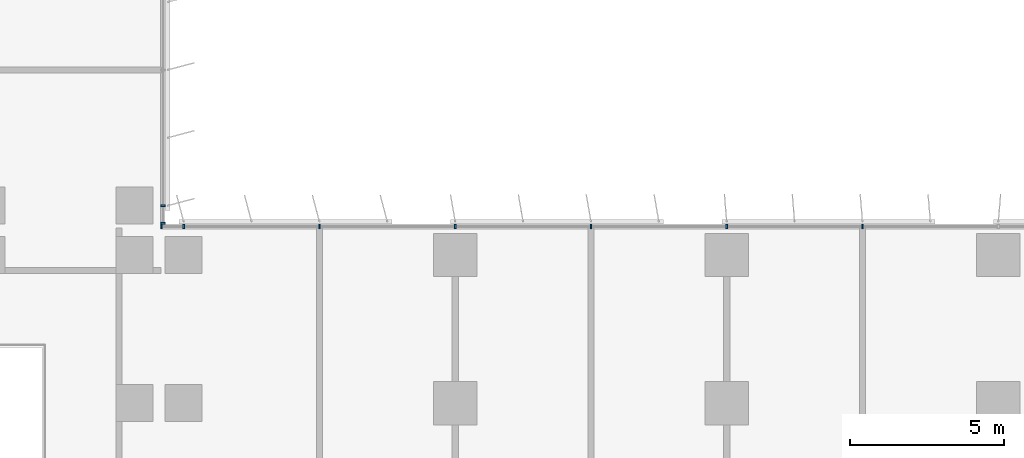
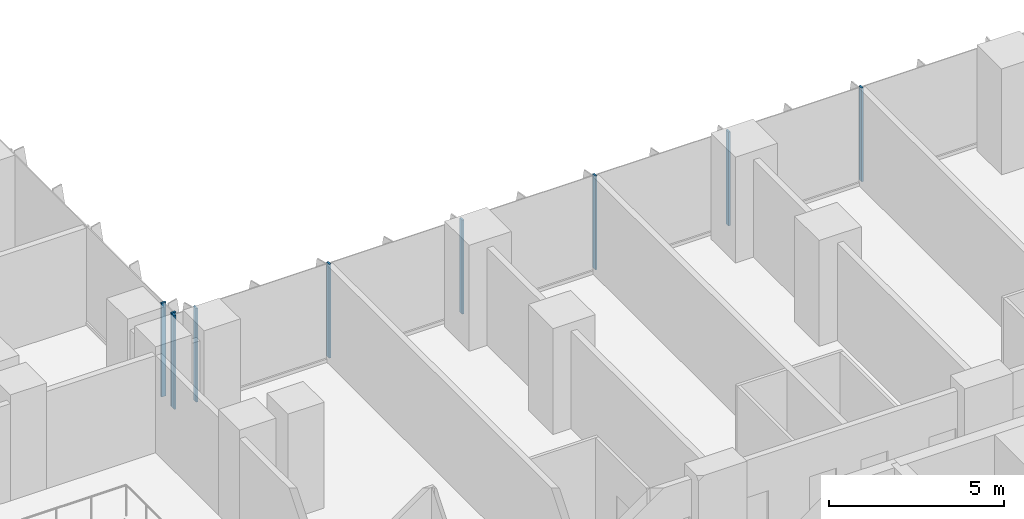
# One storey, part 2 of 24: 9 members, 2 elements without a shape of their own.
"""IFC4 building model written with IfcOpenShell, lengths in metres."""

import ifcopenshell
import ifcopenshell.guid

model = None  # the IFC model being written
_history = None  # IfcOwnerHistory: only IFC2X3 demands one
_inside = {}  # id of a spatial element -> (the spatial element, [elements in it])
_under = {}  # id of a project, library or spatial element -> (it, [spatial elements below it])
_declared = {}  # id of a project -> (the project, [libraries it declares])
_typed = {}  # id of a type object -> (the type object, [elements of that type])
_made_of = {}  # id of a material, layer set ... -> (it, [elements and type objects made of it])


def new_model(schema):
    """Start an empty IFC model of exactly this schema.

    Asked for "IFC4X3", IfcOpenShell would pick the latest addendum, in which some entities
    have other attributes; the version numbers below select the first issue.
    IFC2X3 requires an IfcOwnerHistory on every rooted entity: one is made here for all.
    """
    global model, _history
    if schema == "IFC4X3":
        model = ifcopenshell.file(schema_version=(4, 3, 0, 0))
    else:
        model = ifcopenshell.file(schema=schema)
    _inside.clear()
    _under.clear()
    _declared.clear()
    _typed.clear()
    _made_of.clear()
    _history = None
    if model.schema == "IFC2X3":
        org = make("IfcOrganization", Name="unknown")
        user = make(
            "IfcPersonAndOrganization",
            ThePerson=make("IfcPerson", FamilyName="unknown"),
            TheOrganization=org,
        )
        app = make(
            "IfcApplication",
            ApplicationDeveloper=org,
            Version="unknown",
            ApplicationFullName="unknown",
            ApplicationIdentifier="unknown",
        )
        _history = make(
            "IfcOwnerHistory",
            OwningUser=user,
            OwningApplication=app,
            ChangeAction="ADDED",
            CreationDate=0,
        )
    return model


def make(cls, **values):
    """One entity of the class cls with the attributes given. An attribute that is None is left unset."""
    return model.create_entity(
        cls, **{name: value for name, value in values.items() if value is not None}
    )


def rooted(cls, **values):
    """An entity with a GlobalId (a new one), such as an element, a storey or a relation."""
    return make(cls, GlobalId=ifcopenshell.guid.new(), OwnerHistory=_history, **values)


def si_unit(unit_type, name, prefix=None):
    """IfcSIUnit, for example si_unit("LENGTHUNIT", "METRE", prefix="MILLI")."""
    return make("IfcSIUnit", UnitType=unit_type, Prefix=prefix, Name=name)


def assignment(units):
    """IfcUnitAssignment: the units of a project."""
    return None if units is None else make("IfcUnitAssignment", Units=units)


def point(xyz):
    """IfcCartesianPoint."""
    return None if xyz is None else make("IfcCartesianPoint", Coordinates=xyz)


def direction(xyz):
    """IfcDirection."""
    return None if xyz is None else make("IfcDirection", DirectionRatios=xyz)


def frame(location, z_axis=None, x_axis=None):
    """IfcAxis2Placement3D, a coordinate frame: its origin and axes. An axis left out is left unset."""
    return make(
        "IfcAxis2Placement3D",
        Location=point(location),
        Axis=direction(z_axis),
        RefDirection=direction(x_axis),
    )


def frame_2d(location, x_axis=None):
    """IfcAxis2Placement2D, a coordinate frame in the plane: its origin and x axis."""
    return make(
        "IfcAxis2Placement2D", Location=point(location), RefDirection=direction(x_axis)
    )


def origin():
    """The frame at (0, 0, 0) with its axes left unset."""
    return frame((0.0, 0.0, 0.0))


def origin_2d():
    """The frame at (0, 0) in the plane with its x axis left unset."""
    return frame_2d((0.0, 0.0))


def place(relative_to, where):
    """IfcLocalPlacement: puts the frame where relative to a parent placement (None: the world)."""
    return make(
        "IfcLocalPlacement", PlacementRelTo=relative_to, RelativePlacement=where
    )


def context(
    kind, dimensions, precision=None, world=None, true_north=None, identifier=None
):
    """IfcGeometricRepresentationContext, for example the 3D "Model" context."""
    return make(
        "IfcGeometricRepresentationContext",
        ContextIdentifier=identifier,
        ContextType=kind,
        CoordinateSpaceDimension=dimensions,
        Precision=precision,
        WorldCoordinateSystem=world,
        TrueNorth=true_north,
    )


def subcontext(parent, identifier, kind, view, scale=None):
    """IfcGeometricRepresentationSubContext, for example "Body" below "Model"."""
    return make(
        "IfcGeometricRepresentationSubContext",
        ContextIdentifier=identifier,
        ContextType=kind,
        ParentContext=parent,
        TargetScale=scale,
        TargetView=view,
    )


def project(units=None, contexts=None):
    """IfcProject with its units and contexts."""
    return rooted(
        "IfcProject",
        Name="project",
        RepresentationContexts=contexts,
        UnitsInContext=assignment(units),
    )


def spatial(cls, under=None, at=None, **own):
    """A site, building, storey or space (cls), placed at a placement, below another one or the project."""
    s = rooted(cls, ObjectPlacement=at, **own)
    if under is not None:
        _under.setdefault(under.id(), (under, []))[1].append(s)
    return s


def profile(cls, at=None, kind="AREA", **sizes):
    """A parametric profile (cls). Its sizes go by their IFC names, for example OverallWidth=200.0."""
    return make(cls, ProfileType=kind, Position=at, **sizes)


def rectangle(**sizes):
    """IfcRectangleProfileDef."""
    return profile("IfcRectangleProfileDef", **sizes)


def extrude(swept, where, along, depth):
    """IfcExtrudedAreaSolid: the profile swept, set in the frame where, extruded along a direction by depth."""
    return make(
        "IfcExtrudedAreaSolid",
        SweptArea=swept,
        Position=where,
        ExtrudedDirection=direction(along),
        Depth=depth,
    )


def shape(context_of_items, identifier, shape_type, items):
    """IfcShapeRepresentation: the items that make up one representation, for example the "Body"."""
    return make(
        "IfcShapeRepresentation",
        ContextOfItems=context_of_items,
        RepresentationIdentifier=identifier,
        RepresentationType=shape_type,
        Items=items,
    )


def source(mapping_origin, context_of_items, identifier, shape_type, items):
    """IfcRepresentationMap: a shape defined once, which mapped items show again and again."""
    return make(
        "IfcRepresentationMap",
        MappingOrigin=mapping_origin,
        MappedRepresentation=shape(context_of_items, identifier, shape_type, items),
    )


def transform(
    local_origin,
    x_axis=None,
    y_axis=None,
    z_axis=None,
    scale=None,
    scale2=None,
    scale3=None,
    uniform=True,
):
    """IfcCartesianTransformationOperator3D, or its non-uniform kind. x_axis, y_axis, z_axis: its Axis1, 2, 3."""
    if uniform:
        return make(
            "IfcCartesianTransformationOperator3D",
            Axis1=direction(x_axis),
            Axis2=direction(y_axis),
            LocalOrigin=point(local_origin),
            Scale=scale,
            Axis3=direction(z_axis),
        )
    return make(
        "IfcCartesianTransformationOperator3DnonUniform",
        Axis1=direction(x_axis),
        Axis2=direction(y_axis),
        LocalOrigin=point(local_origin),
        Scale=scale,
        Axis3=direction(z_axis),
        Scale2=scale2,
        Scale3=scale3,
    )


def mapped(mapping_source, mapping_target):
    """IfcMappedItem: shows the shape of a source again, moved by a transform."""
    return make(
        "IfcMappedItem", MappingSource=mapping_source, MappingTarget=mapping_target
    )


def material(Name=None, Category=None):
    """IfcMaterial."""
    return make("IfcMaterial", Name=Name, Category=Category)


def material_profile(
    of_material, cross_section, Name=None, Category=None, Priority=None
):
    """IfcMaterialProfile: a cross section and its material."""
    return make(
        "IfcMaterialProfile",
        Name=Name,
        Material=of_material,
        Profile=cross_section,
        Priority=Priority,
        Category=Category,
    )


def profile_set(profiles, Name=None, composite=None):
    """IfcMaterialProfileSet."""
    return make(
        "IfcMaterialProfileSet",
        Name=Name,
        MaterialProfiles=profiles,
        CompositeProfile=composite,
    )


def made_of(thing, what):
    """Note that an element or type object is made of a material, layer set ...; save() writes the relation."""
    if what is not None:
        _made_of.setdefault(what.id(), (what, []))[1].append(thing)
    return thing


def type_object(cls, material=None, **own):
    """A type object (cls), such as IfcWallType, which elements share."""
    return made_of(rooted(cls, **own), material)


def element(
    cls,
    number,
    at=None,
    inside=None,
    cuts=None,
    type_object=None,
    material=None,
    context=None,
    identifier="Body",
    shape_type=None,
    held_by="IfcProductDefinitionShape",
    body=None,
    shapes=None,
    **own,
):
    """One element of the class cls, such as IfcWall. Its Tag is "e" and its number.

    at: its placement. inside: the storey or other place that contains it. cuts: it is an
    opening in that element (IfcRelVoidsElement). A single representation is given by context,
    identifier, shape_type and body (its items); several are given by shapes. held_by: the class
    of the entity that holds the representations. save() writes the other relations.
    """
    e = rooted(cls, Tag="e%d" % number, ObjectPlacement=at, **own)
    if body is not None:
        shapes = [shape(context, identifier, shape_type, body)]
    if shapes is not None:
        e.Representation = make(held_by, Representations=shapes)
    if inside is not None:
        _inside.setdefault(inside.id(), (inside, []))[1].append(e)
    if cuts is not None:
        rooted(
            "IfcRelVoidsElement", RelatingBuildingElement=cuts, RelatedOpeningElement=e
        )
    if type_object is not None:
        _typed.setdefault(type_object.id(), (type_object, []))[1].append(e)
    return made_of(e, material)


def aggregate(whole, parts):
    """IfcRelAggregates: a whole, such as a stair, and the parts it consists of."""
    return rooted("IfcRelAggregates", RelatingObject=whole, RelatedObjects=parts)


def save(model, path):
    """Write the relations noted so far, then the file.

    IfcRelAggregates (storeys below a building ...), IfcRelContainedInSpatialStructure (elements
    in a storey), IfcRelDefinesByType, IfcRelAssociatesMaterial and IfcRelDeclares: one each for
    every whole, place, type object, material and project.
    """
    for whole, parts in _under.values():
        aggregate(whole, parts)
    for where, things in _inside.values():
        rooted(
            "IfcRelContainedInSpatialStructure",
            RelatedElements=things,
            RelatingStructure=where,
        )
    for kind, things in _typed.values():
        rooted("IfcRelDefinesByType", RelatedObjects=things, RelatingType=kind)
    for what, things in _made_of.values():
        rooted("IfcRelAssociatesMaterial", RelatedObjects=things, RelatingMaterial=what)
    for by, libraries in _declared.values():
        rooted("IfcRelDeclares", RelatingContext=by, RelatedDefinitions=libraries)
    model.write(path)


model = new_model("IFC4")

# Units and contexts
model_context = context("Model", 3, precision=1e-05, world=origin(), true_north=direction((0.0, 1.0)))
body_context = subcontext(model_context, "Body", "Model", "MODEL_VIEW")
ifc_project = project(units=[si_unit("LENGTHUNIT", "METRE"), si_unit("AREAUNIT", "SQUARE_METRE"), si_unit("VOLUMEUNIT", "CUBIC_METRE"), si_unit("PLANEANGLEUNIT", "RADIAN"), si_unit("MASSUNIT", "GRAM", prefix="KILO")], contexts=[model_context])

# Site, building, storey
site_placement = place(None, origin())
site = spatial("IfcSite", under=ifc_project, at=site_placement, CompositionType="ELEMENT")
building_placement = place(site_placement, origin())
building = spatial("IfcBuilding", under=site, at=building_placement, Name="Kemantara Hotel Tower", CompositionType="ELEMENT")
storey_placement = place(building_placement, frame((0.0, 0.0, 63.60009765625)))
storey = spatial("IfcBuildingStorey", under=building, at=storey_placement, Name="L14", CompositionType="ELEMENT", Elevation=63.60009765625)

# Curtain wall, members
ifc_material_1 = material(Name="Low-E tinted double insulated glass 36 mm", Category="glass")
curtain_wall_type = type_object("IfcCurtainWallType", Name="TOWER CURTAIN WALL, FRONT FACES", PredefinedType="USERDEFINED", material=ifc_material_1)
curtain_wall_1_placement = place(storey_placement, origin())
curtain_wall_1 = element("IfcCurtainWall", 1, at=curtain_wall_1_placement, inside=storey, type_object=curtain_wall_type, Name="CW4 L14 T1-R07-1", ObjectType="TOWER CURTAIN WALL, FRONT FACES", PredefinedType="USERDEFINED")
ifc_material_2 = material(Name="Aluminium 6063-T6 bronze anodised", Category="aluminium")
ifc_material_profile = material_profile(ifc_material_2, rectangle(XDim=0.14990234375, YDim=0.06005859375, at=origin_2d()), Name="TOWER CURTAIN WALL, FRONT FACES MULLION")
ifc_profile_set = profile_set([ifc_material_profile], Name="Aluminium 6063-T6 bronze anodised")
member_type = type_object("IfcMemberType", Name="TOWER CURTAIN WALL, FRONT FACES MULLION", PredefinedType="MULLION", material=ifc_profile_set)
shared_shape = source(origin(), body_context, "Body", "SweptSolid", [
    extrude(rectangle(XDim=0.14990234375, YDim=0.06005859375, at=origin_2d()), origin(), (0.0, 0.0, 1.0), 3.280029296875),
])
member_1_placement = place(storey_placement, frame((49.39990234375, 26.72509765625, 0.119873046875), z_axis=(0.0, 0.0, 1.0), x_axis=(0.0, -1.0, 0.0)))
member_1 = element("IfcMember", 2, at=member_1_placement, type_object=member_type, Name="CW4 mullion T1-R07-1.8", PredefinedType="MULLION", context=body_context, shape_type="MappedRepresentation", body=[
    mapped(shared_shape, transform((0.0, 0.0, 0.0))),
])
member_2_placement = place(storey_placement, frame((45.0, 26.72509765625, 0.119873046875), z_axis=(0.0, 0.0, 1.0), x_axis=(0.0, -1.0, 0.0)))
member_2 = element("IfcMember", 3, at=member_2_placement, type_object=member_type, Name="CW4 mullion T1-R07-1.9", PredefinedType="MULLION", context=body_context, shape_type="MappedRepresentation", body=[
    mapped(shared_shape, transform((0.0, 0.0, 0.0))),
])
member_3_placement = place(storey_placement, frame((40.60009765625, 26.72509765625, 0.119873046875), z_axis=(0.0, 0.0, 1.0), x_axis=(0.0, -1.0, 0.0)))
member_3 = element("IfcMember", 4, at=member_3_placement, type_object=member_type, Name="CW4 mullion T1-R07-1.10", PredefinedType="MULLION", context=body_context, shape_type="MappedRepresentation", body=[
    mapped(shared_shape, transform((0.0, 0.0, 0.0))),
])
member_4_placement = place(storey_placement, frame((36.199951171875, 26.72509765625, 0.119873046875), z_axis=(0.0, 0.0, 1.0), x_axis=(0.0, -1.0, 0.0)))
member_4 = element("IfcMember", 5, at=member_4_placement, type_object=member_type, Name="CW4 mullion T1-R07-1.11", PredefinedType="MULLION", context=body_context, shape_type="MappedRepresentation", body=[
    mapped(shared_shape, transform((0.0, 0.0, 0.0))),
])
member_5_placement = place(storey_placement, frame((31.800048828125, 26.72509765625, 0.119873046875), z_axis=(0.0, 0.0, 1.0), x_axis=(0.0, -1.0, 0.0)))
member_5 = element("IfcMember", 6, at=member_5_placement, type_object=member_type, Name="CW4 mullion T1-R07-1.12", PredefinedType="MULLION", context=body_context, shape_type="MappedRepresentation", body=[
    mapped(shared_shape, transform((0.0, 0.0, 0.0))),
])
member_6_placement = place(storey_placement, frame((27.39990234375, 26.72509765625, 0.119873046875), z_axis=(0.0, 0.0, 1.0), x_axis=(0.0, -1.0, 0.0)))
member_6 = element("IfcMember", 7, at=member_6_placement, type_object=member_type, Name="CW4 mullion T1-R07-1.13", PredefinedType="MULLION", context=body_context, shape_type="MappedRepresentation", body=[
    mapped(shared_shape, transform((0.0, 0.0, 0.0))),
])
member_7_placement = place(storey_placement, frame((26.679931640625, 26.72509765625, 0.119873046875), z_axis=(0.0, 0.0, 1.0), x_axis=(0.0, -1.0, 0.0)))
member_7 = element("IfcMember", 8, at=member_7_placement, type_object=member_type, Name="CW4 mullion T1-R07-1.14", PredefinedType="MULLION", context=body_context, shape_type="MappedRepresentation", body=[
    mapped(shared_shape, transform((0.0, 0.0, 0.0))),
])
aggregate(curtain_wall_1, [member_1, member_2, member_3, member_4, member_5, member_6, member_7])

curtain_wall_2_placement = place(storey_placement, origin())
curtain_wall_2 = element("IfcCurtainWall", 9, at=curtain_wall_2_placement, inside=storey, type_object=curtain_wall_type, Name="CW4 L14 T1-R08-1", ObjectType="TOWER CURTAIN WALL, FRONT FACES", PredefinedType="USERDEFINED")
member_8_placement = place(storey_placement, frame((26.72509765625, 26.830078125, 0.119873046875), z_axis=(0.0, 0.0, 1.0), x_axis=(-1.0, 0.0, 0.0)))
member_8 = element("IfcMember", 10, at=member_8_placement, type_object=member_type, Name="CW4 mullion T1-R08-1.1", PredefinedType="MULLION", context=body_context, shape_type="MappedRepresentation", body=[
    mapped(shared_shape, transform((0.0, 0.0, 0.0))),
])
member_9_placement = place(storey_placement, frame((26.72509765625, 27.39990234375, 0.119873046875), z_axis=(0.0, 0.0, 1.0), x_axis=(-1.0, 0.0, 0.0)))
member_9 = element("IfcMember", 11, at=member_9_placement, type_object=member_type, Name="CW4 mullion T1-R08-1.2", PredefinedType="MULLION", context=body_context, shape_type="MappedRepresentation", body=[
    mapped(shared_shape, transform((0.0, 0.0, 0.0))),
])
aggregate(curtain_wall_2, [member_8, member_9])

save(model, "model.ifc")
